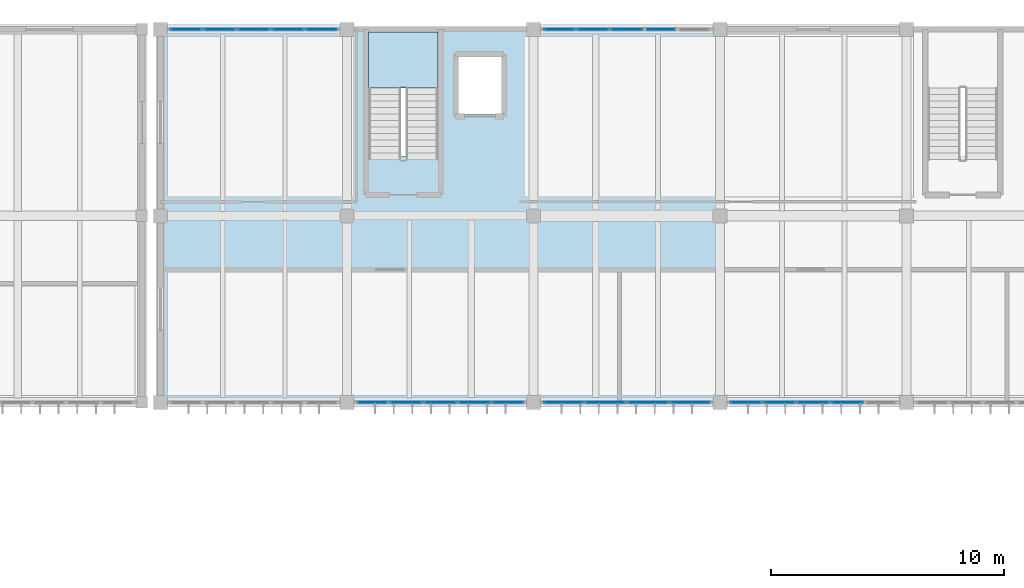
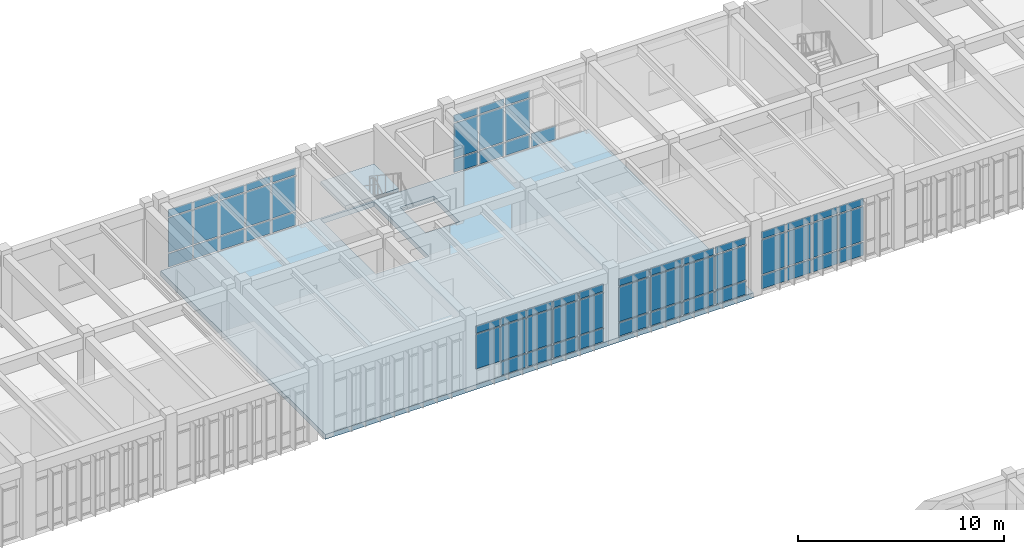
# One storey, part 43 of 79: 63 plates, 2 slabs, 6 elements without a shape of their own.
"""IFC4 building model written with IfcOpenShell, lengths in metres."""

from ifc_helpers import new_model, si_unit, direction, frame, origin, origin_2d, place, context, subcontext, project, spatial, polyline, rectangle, outline, extrude, material, layer, layer_set, type_object, element, aggregate, save


model = new_model("IFC4")

# Units and contexts
model_context = context("Model", 3, precision=1e-05, world=origin(), true_north=direction((0.0, 1.0)))
body_context = subcontext(model_context, "Body", "Model", "MODEL_VIEW")
ifc_project = project(units=[si_unit("LENGTHUNIT", "METRE"), si_unit("AREAUNIT", "SQUARE_METRE"), si_unit("VOLUMEUNIT", "CUBIC_METRE"), si_unit("PLANEANGLEUNIT", "RADIAN"), si_unit("MASSUNIT", "GRAM", prefix="KILO")], contexts=[model_context])

# Site, building, storey
site_placement = place(None, origin())
site = spatial("IfcSite", under=ifc_project, at=site_placement, CompositionType="ELEMENT")
building_placement = place(site_placement, origin())
building = spatial("IfcBuilding", under=site, at=building_placement, Name="Tlaxcora Railside Police Headquarters", CompositionType="ELEMENT")
storey_placement = place(building_placement, frame((0.0, 0.0, 9.0)))
storey = spatial("IfcBuildingStorey", under=building, at=storey_placement, Name="L02", CompositionType="ELEMENT", Elevation=9.0)

# Curtain wall, plates
ifc_material_1 = material(Name="Thermally broken low-E insulated glazing", Category="glass")
curtain_wall_type_1 = type_object("IfcCurtainWallType", Name="Unitised Curtain Wall Assembly CW-23", PredefinedType="NOTDEFINED", material=ifc_material_1)
curtain_wall_1_placement = place(storey_placement, origin())
curtain_wall_1 = element("IfcCurtainWall", 1, at=curtain_wall_1_placement, inside=storey, type_object=curtain_wall_type_1, Name="V6 L02 curtain wall 156", PredefinedType="NOTDEFINED")
ifc_layer_1 = layer(ifc_material_1, 0.0400390625, Name="Thermally broken low-E insulated glazing")
ifc_layer_set_1 = layer_set([ifc_layer_1], Name="Thermally broken low-E insulated glazing")
plate_type_1 = type_object("IfcPlateType", Name="Curtain Wall Infill Panel CW-17", PredefinedType="CURTAIN_PANEL", material=ifc_layer_set_1)
plate_1_placement = place(storey_placement, frame((127.89990234375, 76.800048828125, 0.080078125), z_axis=(0.0, 0.0, 1.0), x_axis=(1.0, 0.0, 0.0)))
plate_1 = element("IfcPlate", 2, at=plate_1_placement, type_object=plate_type_1, Name="CW panel 1.1", PredefinedType="CURTAIN_PANEL", context=body_context, shape_type="SweptSolid", body=[
    extrude(rectangle(XDim=1.340087890625, YDim=0.0400390625, at=origin_2d()), origin(), (0.0, 0.0, 1.0), 0.780029296875),
])
plate_2_placement = place(storey_placement, frame((127.89990234375, 76.800048828125, 0.93994140625), z_axis=(0.0, 0.0, 1.0), x_axis=(1.0, 0.0, 0.0)))
plate_2 = element("IfcPlate", 3, at=plate_2_placement, type_object=plate_type_1, Name="CW panel 1.2", PredefinedType="CURTAIN_PANEL", context=body_context, shape_type="SweptSolid", body=[
    extrude(rectangle(XDim=1.340087890625, YDim=0.0400390625, at=origin_2d()), origin(), (0.0, 0.0, 1.0), 2.0400390625),
])
plate_3_placement = place(storey_placement, frame((127.89990234375, 76.800048828125, 3.06005859375), z_axis=(0.0, 0.0, 1.0), x_axis=(1.0, 0.0, 0.0)))
plate_3 = element("IfcPlate", 4, at=plate_3_placement, type_object=plate_type_1, Name="CW panel 1.3", PredefinedType="CURTAIN_PANEL", context=body_context, shape_type="SweptSolid", body=[
    extrude(rectangle(XDim=1.340087890625, YDim=0.0400390625, at=origin_2d()), origin(), (0.0, 0.0, 1.0), 0.409912109375),
])
plate_4_placement = place(storey_placement, frame((129.340087890625, 76.800048828125, 0.080078125), z_axis=(0.0, 0.0, 1.0), x_axis=(1.0, 0.0, 0.0)))
plate_4 = element("IfcPlate", 5, at=plate_4_placement, type_object=plate_type_1, Name="CW panel 2.1", PredefinedType="CURTAIN_PANEL", context=body_context, shape_type="SweptSolid", body=[
    extrude(rectangle(XDim=1.3798828125, YDim=0.0400390625, at=origin_2d()), origin(), (0.0, 0.0, 1.0), 0.780029296875),
])
plate_5_placement = place(storey_placement, frame((129.340087890625, 76.800048828125, 0.93994140625), z_axis=(0.0, 0.0, 1.0), x_axis=(1.0, 0.0, 0.0)))
plate_5 = element("IfcPlate", 6, at=plate_5_placement, type_object=plate_type_1, Name="CW panel 2.2", PredefinedType="CURTAIN_PANEL", context=body_context, shape_type="SweptSolid", body=[
    extrude(rectangle(XDim=1.3798828125, YDim=0.0400390625, at=origin_2d()), origin(), (0.0, 0.0, 1.0), 2.0400390625),
])
plate_6_placement = place(storey_placement, frame((129.340087890625, 76.800048828125, 3.06005859375), z_axis=(0.0, 0.0, 1.0), x_axis=(1.0, 0.0, 0.0)))
plate_6 = element("IfcPlate", 7, at=plate_6_placement, type_object=plate_type_1, Name="CW panel 2.3", PredefinedType="CURTAIN_PANEL", context=body_context, shape_type="SweptSolid", body=[
    extrude(rectangle(XDim=1.3798828125, YDim=0.0400390625, at=origin_2d()), origin(), (0.0, 0.0, 1.0), 0.409912109375),
])
plate_7_placement = place(storey_placement, frame((130.800048828125, 76.800048828125, 0.080078125), z_axis=(0.0, 0.0, 1.0), x_axis=(1.0, 0.0, 0.0)))
plate_7 = element("IfcPlate", 8, at=plate_7_placement, type_object=plate_type_1, Name="CW panel 3.1", PredefinedType="CURTAIN_PANEL", context=body_context, shape_type="SweptSolid", body=[
    extrude(rectangle(XDim=1.3798828125, YDim=0.0400390625, at=origin_2d()), origin(), (0.0, 0.0, 1.0), 0.780029296875),
])
plate_8_placement = place(storey_placement, frame((130.800048828125, 76.800048828125, 0.93994140625), z_axis=(0.0, 0.0, 1.0), x_axis=(1.0, 0.0, 0.0)))
plate_8 = element("IfcPlate", 9, at=plate_8_placement, type_object=plate_type_1, Name="CW panel 3.2", PredefinedType="CURTAIN_PANEL", context=body_context, shape_type="SweptSolid", body=[
    extrude(rectangle(XDim=1.3798828125, YDim=0.0400390625, at=origin_2d()), origin(), (0.0, 0.0, 1.0), 2.0400390625),
])
plate_9_placement = place(storey_placement, frame((130.800048828125, 76.800048828125, 3.06005859375), z_axis=(0.0, 0.0, 1.0), x_axis=(1.0, 0.0, 0.0)))
plate_9 = element("IfcPlate", 10, at=plate_9_placement, type_object=plate_type_1, Name="CW panel 3.3", PredefinedType="CURTAIN_PANEL", context=body_context, shape_type="SweptSolid", body=[
    extrude(rectangle(XDim=1.3798828125, YDim=0.0400390625, at=origin_2d()), origin(), (0.0, 0.0, 1.0), 0.409912109375),
])
plate_10_placement = place(storey_placement, frame((132.260009765625, 76.800048828125, 0.080078125), z_axis=(0.0, 0.0, 1.0), x_axis=(1.0, 0.0, 0.0)))
plate_10 = element("IfcPlate", 11, at=plate_10_placement, type_object=plate_type_1, Name="CW panel 4.1", PredefinedType="CURTAIN_PANEL", context=body_context, shape_type="SweptSolid", body=[
    extrude(rectangle(XDim=1.3798828125, YDim=0.0400390625, at=origin_2d()), origin(), (0.0, 0.0, 1.0), 0.780029296875),
])
plate_11_placement = place(storey_placement, frame((132.260009765625, 76.800048828125, 0.93994140625), z_axis=(0.0, 0.0, 1.0), x_axis=(1.0, 0.0, 0.0)))
plate_11 = element("IfcPlate", 12, at=plate_11_placement, type_object=plate_type_1, Name="CW panel 4.2", PredefinedType="CURTAIN_PANEL", context=body_context, shape_type="SweptSolid", body=[
    extrude(rectangle(XDim=1.3798828125, YDim=0.0400390625, at=origin_2d()), origin(), (0.0, 0.0, 1.0), 2.0400390625),
])
plate_12_placement = place(storey_placement, frame((132.260009765625, 76.800048828125, 3.06005859375), z_axis=(0.0, 0.0, 1.0), x_axis=(1.0, 0.0, 0.0)))
plate_12 = element("IfcPlate", 13, at=plate_12_placement, type_object=plate_type_1, Name="CW panel 4.3", PredefinedType="CURTAIN_PANEL", context=body_context, shape_type="SweptSolid", body=[
    extrude(rectangle(XDim=1.3798828125, YDim=0.0400390625, at=origin_2d()), origin(), (0.0, 0.0, 1.0), 0.409912109375),
])
aggregate(curtain_wall_1, [plate_1, plate_2, plate_3, plate_4, plate_5, plate_6, plate_7, plate_8, plate_9, plate_10, plate_11, plate_12])

curtain_wall_2_placement = place(storey_placement, origin())
curtain_wall_2 = element("IfcCurtainWall", 14, at=curtain_wall_2_placement, inside=storey, type_object=curtain_wall_type_1, Name="V6 L02 curtain wall 160", PredefinedType="NOTDEFINED")
plate_13_placement = place(storey_placement, frame((124.260009765625, 92.800048828125, 0.080078125), z_axis=(0.0, 0.0, 1.0), x_axis=(-1.0, 0.0, 0.0)))
plate_13 = element("IfcPlate", 15, at=plate_13_placement, type_object=plate_type_1, Name="CW panel 2.1", PredefinedType="CURTAIN_PANEL", context=body_context, shape_type="SweptSolid", body=[
    extrude(rectangle(XDim=1.3798828125, YDim=0.0400390625, at=origin_2d()), origin(), (0.0, 0.0, 1.0), 0.780029296875),
])
plate_14_placement = place(storey_placement, frame((122.800048828125, 92.800048828125, 0.080078125), z_axis=(0.0, 0.0, 1.0), x_axis=(-1.0, 0.0, 0.0)))
plate_14 = element("IfcPlate", 16, at=plate_14_placement, type_object=plate_type_1, Name="CW panel 3.1", PredefinedType="CURTAIN_PANEL", context=body_context, shape_type="SweptSolid", body=[
    extrude(rectangle(XDim=1.3798828125, YDim=0.0400390625, at=origin_2d()), origin(), (0.0, 0.0, 1.0), 0.780029296875),
])
plate_15_placement = place(storey_placement, frame((122.800048828125, 92.800048828125, 0.93994140625), z_axis=(0.0, 0.0, 1.0), x_axis=(-1.0, 0.0, 0.0)))
plate_15 = element("IfcPlate", 17, at=plate_15_placement, type_object=plate_type_1, Name="CW panel 3.2", PredefinedType="CURTAIN_PANEL", context=body_context, shape_type="SweptSolid", body=[
    extrude(rectangle(XDim=1.3798828125, YDim=0.0400390625, at=origin_2d()), origin(), (0.0, 0.0, 1.0), 2.0400390625),
])
plate_16_placement = place(storey_placement, frame((122.800048828125, 92.800048828125, 3.06005859375), z_axis=(0.0, 0.0, 1.0), x_axis=(-1.0, 0.0, 0.0)))
plate_16 = element("IfcPlate", 18, at=plate_16_placement, type_object=plate_type_1, Name="CW panel 3.3", PredefinedType="CURTAIN_PANEL", context=body_context, shape_type="SweptSolid", body=[
    extrude(rectangle(XDim=1.3798828125, YDim=0.0400390625, at=origin_2d()), origin(), (0.0, 0.0, 1.0), 0.409912109375),
])
plate_17_placement = place(storey_placement, frame((121.340087890625, 92.800048828125, 0.080078125), z_axis=(0.0, 0.0, 1.0), x_axis=(-1.0, 0.0, 0.0)))
plate_17 = element("IfcPlate", 19, at=plate_17_placement, type_object=plate_type_1, Name="CW panel 4.1", PredefinedType="CURTAIN_PANEL", context=body_context, shape_type="SweptSolid", body=[
    extrude(rectangle(XDim=1.3798828125, YDim=0.0400390625, at=origin_2d()), origin(), (0.0, 0.0, 1.0), 0.780029296875),
])
plate_18_placement = place(storey_placement, frame((121.340087890625, 92.800048828125, 0.93994140625), z_axis=(0.0, 0.0, 1.0), x_axis=(-1.0, 0.0, 0.0)))
plate_18 = element("IfcPlate", 20, at=plate_18_placement, type_object=plate_type_1, Name="CW panel 4.2", PredefinedType="CURTAIN_PANEL", context=body_context, shape_type="SweptSolid", body=[
    extrude(rectangle(XDim=1.3798828125, YDim=0.0400390625, at=origin_2d()), origin(), (0.0, 0.0, 1.0), 2.0400390625),
])
plate_19_placement = place(storey_placement, frame((121.340087890625, 92.800048828125, 3.06005859375), z_axis=(0.0, 0.0, 1.0), x_axis=(-1.0, 0.0, 0.0)))
plate_19 = element("IfcPlate", 21, at=plate_19_placement, type_object=plate_type_1, Name="CW panel 4.3", PredefinedType="CURTAIN_PANEL", context=body_context, shape_type="SweptSolid", body=[
    extrude(rectangle(XDim=1.3798828125, YDim=0.0400390625, at=origin_2d()), origin(), (0.0, 0.0, 1.0), 0.409912109375),
])
plate_20_placement = place(storey_placement, frame((119.89990234375, 92.800048828125, 0.080078125), z_axis=(0.0, 0.0, 1.0), x_axis=(-1.0, 0.0, 0.0)))
plate_20 = element("IfcPlate", 22, at=plate_20_placement, type_object=plate_type_1, Name="CW panel 5.1", PredefinedType="CURTAIN_PANEL", context=body_context, shape_type="SweptSolid", body=[
    extrude(rectangle(XDim=1.340087890625, YDim=0.0400390625, at=origin_2d()), origin(), (0.0, 0.0, 1.0), 0.780029296875),
])
plate_21_placement = place(storey_placement, frame((119.89990234375, 92.800048828125, 0.93994140625), z_axis=(0.0, 0.0, 1.0), x_axis=(-1.0, 0.0, 0.0)))
plate_21 = element("IfcPlate", 23, at=plate_21_placement, type_object=plate_type_1, Name="CW panel 5.2", PredefinedType="CURTAIN_PANEL", context=body_context, shape_type="SweptSolid", body=[
    extrude(rectangle(XDim=1.340087890625, YDim=0.0400390625, at=origin_2d()), origin(), (0.0, 0.0, 1.0), 2.0400390625),
])
plate_22_placement = place(storey_placement, frame((119.89990234375, 92.800048828125, 3.06005859375), z_axis=(0.0, 0.0, 1.0), x_axis=(-1.0, 0.0, 0.0)))
plate_22 = element("IfcPlate", 24, at=plate_22_placement, type_object=plate_type_1, Name="CW panel 5.3", PredefinedType="CURTAIN_PANEL", context=body_context, shape_type="SweptSolid", body=[
    extrude(rectangle(XDim=1.340087890625, YDim=0.0400390625, at=origin_2d()), origin(), (0.0, 0.0, 1.0), 0.409912109375),
])
aggregate(curtain_wall_2, [plate_13, plate_14, plate_15, plate_16, plate_17, plate_18, plate_19, plate_20, plate_21, plate_22])

curtain_wall_type_2 = type_object("IfcCurtainWallType", Name="Unitised Curtain Wall Assembly CW-15", PredefinedType="NOTDEFINED", material=ifc_material_1)
curtain_wall_3_placement = place(storey_placement, origin())
curtain_wall_3 = element("IfcCurtainWall", 25, at=curtain_wall_3_placement, inside=storey, type_object=curtain_wall_type_2, Name="V6 L02 curtain wall 154", PredefinedType="NOTDEFINED")
ifc_layer_2 = layer(ifc_material_1, 0.031982421875, Name="Thermally broken low-E insulated glazing")
ifc_layer_set_2 = layer_set([ifc_layer_2], Name="Thermally broken low-E insulated glazing")
plate_type_2 = type_object("IfcPlateType", Name="Curtain Wall Infill Panel CW-41", PredefinedType="CURTAIN_PANEL", material=ifc_layer_set_2)
plate_23_placement = place(storey_placement, frame((111.898681640625, 76.800048828125, 0.9375), z_axis=(0.0, 0.0, 1.0), x_axis=(1.0, 0.0, 0.0)))
plate_23 = element("IfcPlate", 26, at=plate_23_placement, type_object=plate_type_2, Name="CW panel 1.2", PredefinedType="CURTAIN_PANEL", context=body_context, shape_type="SweptSolid", body=[
    extrude(rectangle(XDim=1.347412109375, YDim=0.031982421875, at=origin_2d()), origin(), (0.0, 0.0, 1.0), 2.044921875),
])
plate_24_placement = place(storey_placement, frame((111.898681640625, 76.800048828125, 3.0576171875), z_axis=(0.0, 0.0, 1.0), x_axis=(1.0, 0.0, 0.0)))
plate_24 = element("IfcPlate", 27, at=plate_24_placement, type_object=plate_type_2, Name="CW panel 1.3", PredefinedType="CURTAIN_PANEL", context=body_context, shape_type="SweptSolid", body=[
    extrude(rectangle(XDim=1.347412109375, YDim=0.031982421875, at=origin_2d()), origin(), (0.0, 0.0, 1.0), 0.41748046875),
])
plate_25_placement = place(storey_placement, frame((113.340087890625, 76.800048828125, 0.074951171875), z_axis=(0.0, 0.0, 1.0), x_axis=(1.0, 0.0, 0.0)))
plate_25 = element("IfcPlate", 28, at=plate_25_placement, type_object=plate_type_2, Name="CW panel 2.1", PredefinedType="CURTAIN_PANEL", context=body_context, shape_type="SweptSolid", body=[
    extrude(rectangle(XDim=1.385009765625, YDim=0.031982421875, at=origin_2d()), origin(), (0.0, 0.0, 1.0), 0.78759765625),
])
plate_26_placement = place(storey_placement, frame((113.340087890625, 76.800048828125, 0.9375), z_axis=(0.0, 0.0, 1.0), x_axis=(1.0, 0.0, 0.0)))
plate_26 = element("IfcPlate", 29, at=plate_26_placement, type_object=plate_type_2, Name="CW panel 2.2", PredefinedType="CURTAIN_PANEL", context=body_context, shape_type="SweptSolid", body=[
    extrude(rectangle(XDim=1.385009765625, YDim=0.031982421875, at=origin_2d()), origin(), (0.0, 0.0, 1.0), 2.044921875),
])
plate_27_placement = place(storey_placement, frame((113.340087890625, 76.800048828125, 3.0576171875), z_axis=(0.0, 0.0, 1.0), x_axis=(1.0, 0.0, 0.0)))
plate_27 = element("IfcPlate", 30, at=plate_27_placement, type_object=plate_type_2, Name="CW panel 2.3", PredefinedType="CURTAIN_PANEL", context=body_context, shape_type="SweptSolid", body=[
    extrude(rectangle(XDim=1.385009765625, YDim=0.031982421875, at=origin_2d()), origin(), (0.0, 0.0, 1.0), 0.41748046875),
])
plate_28_placement = place(storey_placement, frame((114.800048828125, 76.800048828125, 0.074951171875), z_axis=(0.0, 0.0, 1.0), x_axis=(1.0, 0.0, 0.0)))
plate_28 = element("IfcPlate", 31, at=plate_28_placement, type_object=plate_type_2, Name="CW panel 3.1", PredefinedType="CURTAIN_PANEL", context=body_context, shape_type="SweptSolid", body=[
    extrude(rectangle(XDim=1.385009765625, YDim=0.031982421875, at=origin_2d()), origin(), (0.0, 0.0, 1.0), 0.78759765625),
])
plate_29_placement = place(storey_placement, frame((114.800048828125, 76.800048828125, 0.9375), z_axis=(0.0, 0.0, 1.0), x_axis=(1.0, 0.0, 0.0)))
plate_29 = element("IfcPlate", 32, at=plate_29_placement, type_object=plate_type_2, Name="CW panel 3.2", PredefinedType="CURTAIN_PANEL", context=body_context, shape_type="SweptSolid", body=[
    extrude(rectangle(XDim=1.385009765625, YDim=0.031982421875, at=origin_2d()), origin(), (0.0, 0.0, 1.0), 2.044921875),
])
plate_30_placement = place(storey_placement, frame((114.800048828125, 76.800048828125, 3.0576171875), z_axis=(0.0, 0.0, 1.0), x_axis=(1.0, 0.0, 0.0)))
plate_30 = element("IfcPlate", 33, at=plate_30_placement, type_object=plate_type_2, Name="CW panel 3.3", PredefinedType="CURTAIN_PANEL", context=body_context, shape_type="SweptSolid", body=[
    extrude(rectangle(XDim=1.385009765625, YDim=0.031982421875, at=origin_2d()), origin(), (0.0, 0.0, 1.0), 0.41748046875),
])
plate_31_placement = place(storey_placement, frame((116.260009765625, 76.800048828125, 0.074951171875), z_axis=(0.0, 0.0, 1.0), x_axis=(1.0, 0.0, 0.0)))
plate_31 = element("IfcPlate", 34, at=plate_31_placement, type_object=plate_type_2, Name="CW panel 4.1", PredefinedType="CURTAIN_PANEL", context=body_context, shape_type="SweptSolid", body=[
    extrude(rectangle(XDim=1.385009765625, YDim=0.031982421875, at=origin_2d()), origin(), (0.0, 0.0, 1.0), 0.78759765625),
])
plate_32_placement = place(storey_placement, frame((116.260009765625, 76.800048828125, 0.9375), z_axis=(0.0, 0.0, 1.0), x_axis=(1.0, 0.0, 0.0)))
plate_32 = element("IfcPlate", 35, at=plate_32_placement, type_object=plate_type_2, Name="CW panel 4.2", PredefinedType="CURTAIN_PANEL", context=body_context, shape_type="SweptSolid", body=[
    extrude(rectangle(XDim=1.385009765625, YDim=0.031982421875, at=origin_2d()), origin(), (0.0, 0.0, 1.0), 2.044921875),
])
plate_33_placement = place(storey_placement, frame((116.260009765625, 76.800048828125, 3.0576171875), z_axis=(0.0, 0.0, 1.0), x_axis=(1.0, 0.0, 0.0)))
plate_33 = element("IfcPlate", 36, at=plate_33_placement, type_object=plate_type_2, Name="CW panel 4.3", PredefinedType="CURTAIN_PANEL", context=body_context, shape_type="SweptSolid", body=[
    extrude(rectangle(XDim=1.385009765625, YDim=0.031982421875, at=origin_2d()), origin(), (0.0, 0.0, 1.0), 0.41748046875),
])
plate_34_placement = place(storey_placement, frame((117.701171875, 76.800048828125, 0.074951171875), z_axis=(0.0, 0.0, 1.0), x_axis=(1.0, 0.0, 0.0)))
plate_34 = element("IfcPlate", 37, at=plate_34_placement, type_object=plate_type_2, Name="CW panel 5.1", PredefinedType="CURTAIN_PANEL", context=body_context, shape_type="SweptSolid", body=[
    extrude(rectangle(XDim=1.347412109375, YDim=0.031982421875, at=origin_2d()), origin(), (0.0, 0.0, 1.0), 0.78759765625),
])
plate_35_placement = place(storey_placement, frame((117.701171875, 76.800048828125, 0.9375), z_axis=(0.0, 0.0, 1.0), x_axis=(1.0, 0.0, 0.0)))
plate_35 = element("IfcPlate", 38, at=plate_35_placement, type_object=plate_type_2, Name="CW panel 5.2", PredefinedType="CURTAIN_PANEL", context=body_context, shape_type="SweptSolid", body=[
    extrude(rectangle(XDim=1.347412109375, YDim=0.031982421875, at=origin_2d()), origin(), (0.0, 0.0, 1.0), 2.044921875),
])
plate_36_placement = place(storey_placement, frame((117.701171875, 76.800048828125, 3.0576171875), z_axis=(0.0, 0.0, 1.0), x_axis=(1.0, 0.0, 0.0)))
plate_36 = element("IfcPlate", 39, at=plate_36_placement, type_object=plate_type_2, Name="CW panel 5.3", PredefinedType="CURTAIN_PANEL", context=body_context, shape_type="SweptSolid", body=[
    extrude(rectangle(XDim=1.347412109375, YDim=0.031982421875, at=origin_2d()), origin(), (0.0, 0.0, 1.0), 0.41748046875),
])
aggregate(curtain_wall_3, [plate_23, plate_24, plate_25, plate_26, plate_27, plate_28, plate_29, plate_30, plate_31, plate_32, plate_33, plate_34, plate_35, plate_36])

curtain_wall_type_3 = type_object("IfcCurtainWallType", Name="Unitised Curtain Wall Assembly CW-83", PredefinedType="NOTDEFINED", material=ifc_material_1)
curtain_wall_4_placement = place(storey_placement, origin())
curtain_wall_4 = element("IfcCurtainWall", 40, at=curtain_wall_4_placement, inside=storey, type_object=curtain_wall_type_3, Name="V6 L02 curtain wall 155", PredefinedType="NOTDEFINED")
ifc_layer_3 = layer(ifc_material_1, 0.035888671875, Name="Thermally broken low-E insulated glazing")
ifc_layer_set_3 = layer_set([ifc_layer_3], Name="Thermally broken low-E insulated glazing")
plate_type_3 = type_object("IfcPlateType", Name="Curtain Wall Infill Panel CW-72", PredefinedType="CURTAIN_PANEL", material=ifc_layer_set_3)
plate_37_placement = place(storey_placement, frame((120.08251953125, 76.800048828125, 0.080078125), z_axis=(0.0, 0.0, 1.0), x_axis=(1.0, 0.0, 0.0)))
plate_37 = element("IfcPlate", 41, at=plate_37_placement, type_object=plate_type_3, Name="CW panel 1.1", PredefinedType="CURTAIN_PANEL", context=body_context, shape_type="SweptSolid", body=[
    extrude(rectangle(XDim=1.705078125, YDim=0.035888671875, at=origin_2d()), origin(), (0.0, 0.0, 1.0), 0.780029296875),
])
plate_38_placement = place(storey_placement, frame((120.08251953125, 76.800048828125, 0.93994140625), z_axis=(0.0, 0.0, 1.0), x_axis=(1.0, 0.0, 0.0)))
plate_38 = element("IfcPlate", 42, at=plate_38_placement, type_object=plate_type_3, Name="CW panel 1.2", PredefinedType="CURTAIN_PANEL", context=body_context, shape_type="SweptSolid", body=[
    extrude(rectangle(XDim=1.705078125, YDim=0.035888671875, at=origin_2d()), origin(), (0.0, 0.0, 1.0), 2.0400390625),
])
plate_39_placement = place(storey_placement, frame((120.08251953125, 76.800048828125, 3.06005859375), z_axis=(0.0, 0.0, 1.0), x_axis=(1.0, 0.0, 0.0)))
plate_39 = element("IfcPlate", 43, at=plate_39_placement, type_object=plate_type_3, Name="CW panel 1.3", PredefinedType="CURTAIN_PANEL", context=body_context, shape_type="SweptSolid", body=[
    extrude(rectangle(XDim=1.705078125, YDim=0.035888671875, at=origin_2d()), origin(), (0.0, 0.0, 1.0), 0.409912109375),
])
plate_40_placement = place(storey_placement, frame((121.887451171875, 76.800048828125, 0.080078125), z_axis=(0.0, 0.0, 1.0), x_axis=(1.0, 0.0, 0.0)))
plate_40 = element("IfcPlate", 44, at=plate_40_placement, type_object=plate_type_3, Name="CW panel 2.1", PredefinedType="CURTAIN_PANEL", context=body_context, shape_type="SweptSolid", body=[
    extrude(rectangle(XDim=1.7451171875, YDim=0.035888671875, at=origin_2d()), origin(), (0.0, 0.0, 1.0), 0.780029296875),
])
plate_41_placement = place(storey_placement, frame((121.887451171875, 76.800048828125, 0.93994140625), z_axis=(0.0, 0.0, 1.0), x_axis=(1.0, 0.0, 0.0)))
plate_41 = element("IfcPlate", 45, at=plate_41_placement, type_object=plate_type_3, Name="CW panel 2.2", PredefinedType="CURTAIN_PANEL", context=body_context, shape_type="SweptSolid", body=[
    extrude(rectangle(XDim=1.7451171875, YDim=0.035888671875, at=origin_2d()), origin(), (0.0, 0.0, 1.0), 2.0400390625),
])
plate_42_placement = place(storey_placement, frame((121.887451171875, 76.800048828125, 3.06005859375), z_axis=(0.0, 0.0, 1.0), x_axis=(1.0, 0.0, 0.0)))
plate_42 = element("IfcPlate", 46, at=plate_42_placement, type_object=plate_type_3, Name="CW panel 2.3", PredefinedType="CURTAIN_PANEL", context=body_context, shape_type="SweptSolid", body=[
    extrude(rectangle(XDim=1.7451171875, YDim=0.035888671875, at=origin_2d()), origin(), (0.0, 0.0, 1.0), 0.409912109375),
])
plate_43_placement = place(storey_placement, frame((123.71240234375, 76.800048828125, 0.080078125), z_axis=(0.0, 0.0, 1.0), x_axis=(1.0, 0.0, 0.0)))
plate_43 = element("IfcPlate", 47, at=plate_43_placement, type_object=plate_type_3, Name="CW panel 3.1", PredefinedType="CURTAIN_PANEL", context=body_context, shape_type="SweptSolid", body=[
    extrude(rectangle(XDim=1.7451171875, YDim=0.035888671875, at=origin_2d()), origin(), (0.0, 0.0, 1.0), 0.780029296875),
])
plate_44_placement = place(storey_placement, frame((123.71240234375, 76.800048828125, 0.93994140625), z_axis=(0.0, 0.0, 1.0), x_axis=(1.0, 0.0, 0.0)))
plate_44 = element("IfcPlate", 48, at=plate_44_placement, type_object=plate_type_3, Name="CW panel 3.2", PredefinedType="CURTAIN_PANEL", context=body_context, shape_type="SweptSolid", body=[
    extrude(rectangle(XDim=1.7451171875, YDim=0.035888671875, at=origin_2d()), origin(), (0.0, 0.0, 1.0), 2.0400390625),
])
plate_45_placement = place(storey_placement, frame((123.71240234375, 76.800048828125, 3.06005859375), z_axis=(0.0, 0.0, 1.0), x_axis=(1.0, 0.0, 0.0)))
plate_45 = element("IfcPlate", 49, at=plate_45_placement, type_object=plate_type_3, Name="CW panel 3.3", PredefinedType="CURTAIN_PANEL", context=body_context, shape_type="SweptSolid", body=[
    extrude(rectangle(XDim=1.7451171875, YDim=0.035888671875, at=origin_2d()), origin(), (0.0, 0.0, 1.0), 0.409912109375),
])
plate_46_placement = place(storey_placement, frame((125.517578125, 76.800048828125, 0.080078125), z_axis=(0.0, 0.0, 1.0), x_axis=(1.0, 0.0, 0.0)))
plate_46 = element("IfcPlate", 50, at=plate_46_placement, type_object=plate_type_3, Name="CW panel 4.1", PredefinedType="CURTAIN_PANEL", context=body_context, shape_type="SweptSolid", body=[
    extrude(rectangle(XDim=1.705078125, YDim=0.035888671875, at=origin_2d()), origin(), (0.0, 0.0, 1.0), 0.780029296875),
])
plate_47_placement = place(storey_placement, frame((125.517578125, 76.800048828125, 0.93994140625), z_axis=(0.0, 0.0, 1.0), x_axis=(1.0, 0.0, 0.0)))
plate_47 = element("IfcPlate", 51, at=plate_47_placement, type_object=plate_type_3, Name="CW panel 4.2", PredefinedType="CURTAIN_PANEL", context=body_context, shape_type="SweptSolid", body=[
    extrude(rectangle(XDim=1.705078125, YDim=0.035888671875, at=origin_2d()), origin(), (0.0, 0.0, 1.0), 2.0400390625),
])
plate_48_placement = place(storey_placement, frame((125.517578125, 76.800048828125, 3.06005859375), z_axis=(0.0, 0.0, 1.0), x_axis=(1.0, 0.0, 0.0)))
plate_48 = element("IfcPlate", 52, at=plate_48_placement, type_object=plate_type_3, Name="CW panel 4.3", PredefinedType="CURTAIN_PANEL", context=body_context, shape_type="SweptSolid", body=[
    extrude(rectangle(XDim=1.705078125, YDim=0.035888671875, at=origin_2d()), origin(), (0.0, 0.0, 1.0), 0.409912109375),
])
aggregate(curtain_wall_4, [plate_37, plate_38, plate_39, plate_40, plate_41, plate_42, plate_43, plate_44, plate_45, plate_46, plate_47, plate_48])

curtain_wall_type_4 = type_object("IfcCurtainWallType", Name="Unitised Curtain Wall Assembly CW-38", PredefinedType="NOTDEFINED", material=ifc_material_1)
curtain_wall_5_placement = place(storey_placement, origin())
curtain_wall_5 = element("IfcCurtainWall", 53, at=curtain_wall_5_placement, inside=storey, type_object=curtain_wall_type_4, Name="V6 L02 curtain wall 161", PredefinedType="NOTDEFINED")
ifc_layer_4 = layer(ifc_material_1, 0.028076171875, Name="Thermally broken low-E insulated glazing")
ifc_layer_set_4 = layer_set([ifc_layer_4], Name="Thermally broken low-E insulated glazing")
plate_type_4 = type_object("IfcPlateType", Name="Curtain Wall Infill Panel CW-92", PredefinedType="CURTAIN_PANEL", material=ifc_layer_set_4)
plate_49_placement = place(storey_placement, frame((109.701171875, 92.800048828125, 0.074951171875), z_axis=(0.0, 0.0, 1.0), x_axis=(-1.0, 0.0, 0.0)))
plate_49 = element("IfcPlate", 54, at=plate_49_placement, type_object=plate_type_4, Name="CW panel 1.1", PredefinedType="CURTAIN_PANEL", context=body_context, shape_type="SweptSolid", body=[
    extrude(rectangle(XDim=1.347412109375, YDim=0.028076171875, at=origin_2d()), origin(), (0.0, 0.0, 1.0), 0.78759765625),
])
plate_50_placement = place(storey_placement, frame((109.701171875, 92.800048828125, 0.9375), z_axis=(0.0, 0.0, 1.0), x_axis=(-1.0, 0.0, 0.0)))
plate_50 = element("IfcPlate", 55, at=plate_50_placement, type_object=plate_type_4, Name="CW panel 1.2", PredefinedType="CURTAIN_PANEL", context=body_context, shape_type="SweptSolid", body=[
    extrude(rectangle(XDim=1.347412109375, YDim=0.028076171875, at=origin_2d()), origin(), (0.0, 0.0, 1.0), 2.044921875),
])
plate_51_placement = place(storey_placement, frame((109.701171875, 92.800048828125, 3.0576171875), z_axis=(0.0, 0.0, 1.0), x_axis=(-1.0, 0.0, 0.0)))
plate_51 = element("IfcPlate", 56, at=plate_51_placement, type_object=plate_type_4, Name="CW panel 1.3", PredefinedType="CURTAIN_PANEL", context=body_context, shape_type="SweptSolid", body=[
    extrude(rectangle(XDim=1.347412109375, YDim=0.028076171875, at=origin_2d()), origin(), (0.0, 0.0, 1.0), 0.41748046875),
])
plate_52_placement = place(storey_placement, frame((108.260009765625, 92.800048828125, 0.074951171875), z_axis=(0.0, 0.0, 1.0), x_axis=(-1.0, 0.0, 0.0)))
plate_52 = element("IfcPlate", 57, at=plate_52_placement, type_object=plate_type_4, Name="CW panel 2.1", PredefinedType="CURTAIN_PANEL", context=body_context, shape_type="SweptSolid", body=[
    extrude(rectangle(XDim=1.385009765625, YDim=0.028076171875, at=origin_2d()), origin(), (0.0, 0.0, 1.0), 0.78759765625),
])
plate_53_placement = place(storey_placement, frame((108.260009765625, 92.800048828125, 0.9375), z_axis=(0.0, 0.0, 1.0), x_axis=(-1.0, 0.0, 0.0)))
plate_53 = element("IfcPlate", 58, at=plate_53_placement, type_object=plate_type_4, Name="CW panel 2.2", PredefinedType="CURTAIN_PANEL", context=body_context, shape_type="SweptSolid", body=[
    extrude(rectangle(XDim=1.385009765625, YDim=0.028076171875, at=origin_2d()), origin(), (0.0, 0.0, 1.0), 2.044921875),
])
plate_54_placement = place(storey_placement, frame((108.260009765625, 92.800048828125, 3.0576171875), z_axis=(0.0, 0.0, 1.0), x_axis=(-1.0, 0.0, 0.0)))
plate_54 = element("IfcPlate", 59, at=plate_54_placement, type_object=plate_type_4, Name="CW panel 2.3", PredefinedType="CURTAIN_PANEL", context=body_context, shape_type="SweptSolid", body=[
    extrude(rectangle(XDim=1.385009765625, YDim=0.028076171875, at=origin_2d()), origin(), (0.0, 0.0, 1.0), 0.41748046875),
])
plate_55_placement = place(storey_placement, frame((106.800048828125, 92.800048828125, 0.074951171875), z_axis=(0.0, 0.0, 1.0), x_axis=(-1.0, 0.0, 0.0)))
plate_55 = element("IfcPlate", 60, at=plate_55_placement, type_object=plate_type_4, Name="CW panel 3.1", PredefinedType="CURTAIN_PANEL", context=body_context, shape_type="SweptSolid", body=[
    extrude(rectangle(XDim=1.385009765625, YDim=0.028076171875, at=origin_2d()), origin(), (0.0, 0.0, 1.0), 0.78759765625),
])
plate_56_placement = place(storey_placement, frame((106.800048828125, 92.800048828125, 0.9375), z_axis=(0.0, 0.0, 1.0), x_axis=(-1.0, 0.0, 0.0)))
plate_56 = element("IfcPlate", 61, at=plate_56_placement, type_object=plate_type_4, Name="CW panel 3.2", PredefinedType="CURTAIN_PANEL", context=body_context, shape_type="SweptSolid", body=[
    extrude(rectangle(XDim=1.385009765625, YDim=0.028076171875, at=origin_2d()), origin(), (0.0, 0.0, 1.0), 2.044921875),
])
plate_57_placement = place(storey_placement, frame((106.800048828125, 92.800048828125, 3.0576171875), z_axis=(0.0, 0.0, 1.0), x_axis=(-1.0, 0.0, 0.0)))
plate_57 = element("IfcPlate", 62, at=plate_57_placement, type_object=plate_type_4, Name="CW panel 3.3", PredefinedType="CURTAIN_PANEL", context=body_context, shape_type="SweptSolid", body=[
    extrude(rectangle(XDim=1.385009765625, YDim=0.028076171875, at=origin_2d()), origin(), (0.0, 0.0, 1.0), 0.41748046875),
])
plate_58_placement = place(storey_placement, frame((105.340087890625, 92.800048828125, 0.074951171875), z_axis=(0.0, 0.0, 1.0), x_axis=(-1.0, 0.0, 0.0)))
plate_58 = element("IfcPlate", 63, at=plate_58_placement, type_object=plate_type_4, Name="CW panel 4.1", PredefinedType="CURTAIN_PANEL", context=body_context, shape_type="SweptSolid", body=[
    extrude(rectangle(XDim=1.385009765625, YDim=0.028076171875, at=origin_2d()), origin(), (0.0, 0.0, 1.0), 0.78759765625),
])
plate_59_placement = place(storey_placement, frame((105.340087890625, 92.800048828125, 0.9375), z_axis=(0.0, 0.0, 1.0), x_axis=(-1.0, 0.0, 0.0)))
plate_59 = element("IfcPlate", 64, at=plate_59_placement, type_object=plate_type_4, Name="CW panel 4.2", PredefinedType="CURTAIN_PANEL", context=body_context, shape_type="SweptSolid", body=[
    extrude(rectangle(XDim=1.385009765625, YDim=0.028076171875, at=origin_2d()), origin(), (0.0, 0.0, 1.0), 2.044921875),
])
plate_60_placement = place(storey_placement, frame((105.340087890625, 92.800048828125, 3.0576171875), z_axis=(0.0, 0.0, 1.0), x_axis=(-1.0, 0.0, 0.0)))
plate_60 = element("IfcPlate", 65, at=plate_60_placement, type_object=plate_type_4, Name="CW panel 4.3", PredefinedType="CURTAIN_PANEL", context=body_context, shape_type="SweptSolid", body=[
    extrude(rectangle(XDim=1.385009765625, YDim=0.028076171875, at=origin_2d()), origin(), (0.0, 0.0, 1.0), 0.41748046875),
])
plate_61_placement = place(storey_placement, frame((103.898681640625, 92.800048828125, 0.074951171875), z_axis=(0.0, 0.0, 1.0), x_axis=(-1.0, 0.0, 0.0)))
plate_61 = element("IfcPlate", 66, at=plate_61_placement, type_object=plate_type_4, Name="CW panel 5.1", PredefinedType="CURTAIN_PANEL", context=body_context, shape_type="SweptSolid", body=[
    extrude(rectangle(XDim=1.347412109375, YDim=0.028076171875, at=origin_2d()), origin(), (0.0, 0.0, 1.0), 0.78759765625),
])
plate_62_placement = place(storey_placement, frame((103.898681640625, 92.800048828125, 0.9375), z_axis=(0.0, 0.0, 1.0), x_axis=(-1.0, 0.0, 0.0)))
plate_62 = element("IfcPlate", 67, at=plate_62_placement, type_object=plate_type_4, Name="CW panel 5.2", PredefinedType="CURTAIN_PANEL", context=body_context, shape_type="SweptSolid", body=[
    extrude(rectangle(XDim=1.347412109375, YDim=0.028076171875, at=origin_2d()), origin(), (0.0, 0.0, 1.0), 2.044921875),
])
plate_63_placement = place(storey_placement, frame((103.898681640625, 92.800048828125, 3.0576171875), z_axis=(0.0, 0.0, 1.0), x_axis=(-1.0, 0.0, 0.0)))
plate_63 = element("IfcPlate", 68, at=plate_63_placement, type_object=plate_type_4, Name="CW panel 5.3", PredefinedType="CURTAIN_PANEL", context=body_context, shape_type="SweptSolid", body=[
    extrude(rectangle(XDim=1.347412109375, YDim=0.028076171875, at=origin_2d()), origin(), (0.0, 0.0, 1.0), 0.41748046875),
])
aggregate(curtain_wall_5, [plate_49, plate_50, plate_51, plate_52, plate_53, plate_54, plate_55, plate_56, plate_57, plate_58, plate_59, plate_60, plate_61, plate_62, plate_63])

# Stair, slab
ifc_material_2 = material(Name="Concrete C40/50", Category="concrete")
stair_type = type_object("IfcStairType", Name="Half-Turn Dog-Leg Stair ST-58", PredefinedType="HALF_TURN_STAIR", material=ifc_material_2)
stair_placement = place(storey_placement, origin())
stair = element("IfcStair", 69, at=stair_placement, inside=storey, type_object=stair_type, Name="L02 ST3", PredefinedType="HALF_TURN_STAIR")
ifc_material_3 = material(Name="Concrete C35/45", Category="concrete")
ifc_layer_5 = layer(ifc_material_3, 0.199951171875, Name="Concrete C35/45")
ifc_layer_set_5 = layer_set([ifc_layer_5], Name="Concrete C35/45")
slab_type_1 = type_object("IfcSlabType", Name="Stair Landing Slab SL-23", PredefinedType="LANDING", material=ifc_layer_set_5)
slab_1_placement = place(storey_placement, frame((0.0, 0.0, 2.050048828125)))
slab_1 = element("IfcSlab", 70, at=slab_1_placement, type_object=slab_type_1, Name="ST3 landing 1", PredefinedType="LANDING", context=body_context, shape_type="SweptSolid", body=[
    extrude(outline(polyline([(114.7099609375, 90.2900390625), (114.7099609375, 92.68994140625), (111.7099609375, 92.68994140625), (111.7099609375, 90.2900390625), (114.7099609375, 90.2900390625)])), origin(), (0.0, 0.0, 1.0), 0.199951171875),
])
aggregate(stair, [slab_1])

# Slab
ifc_layer_6 = layer(ifc_material_3, 0.2900390625, Name="Concrete C35/45")
ifc_layer_set_6 = layer_set([ifc_layer_6], Name="Concrete C35/45")
slab_type_2 = type_object("IfcSlabType", Name="Suspended Floor Slab SL-86", PredefinedType="FLOOR", material=ifc_layer_set_6)
slab_2_placement = place(storey_placement, frame((0.0, 0.0, -0.2900390625)))
element("IfcSlab", 71, at=slab_2_placement, inside=storey, type_object=slab_type_2, Name="V6 L02 floor slab zone 1", PredefinedType="FLOOR", context=body_context, shape_type="SweptSolid", body=[
    extrude(outline(polyline([(126.800048828125, 92.800048828125), (102.800048828125, 92.800048828125), (102.800048828125, 76.800048828125), (126.800048828125, 76.800048828125), (126.800048828125, 92.800048828125)]), holes=[polyline([(111.7099609375, 92.68994140625), (114.7099609375, 92.68994140625), (114.7099609375, 87.35009765625), (111.7099609375, 87.35009765625), (111.7099609375, 92.68994140625)]), polyline([(117.449951171875, 91.64990234375), (117.449951171875, 89.14990234375), (115.550048828125, 89.14990234375), (115.550048828125, 91.64990234375), (117.449951171875, 91.64990234375)])]), origin(), (0.0, 0.0, 1.0), 0.2900390625),
])

save(model, "model.ifc")
